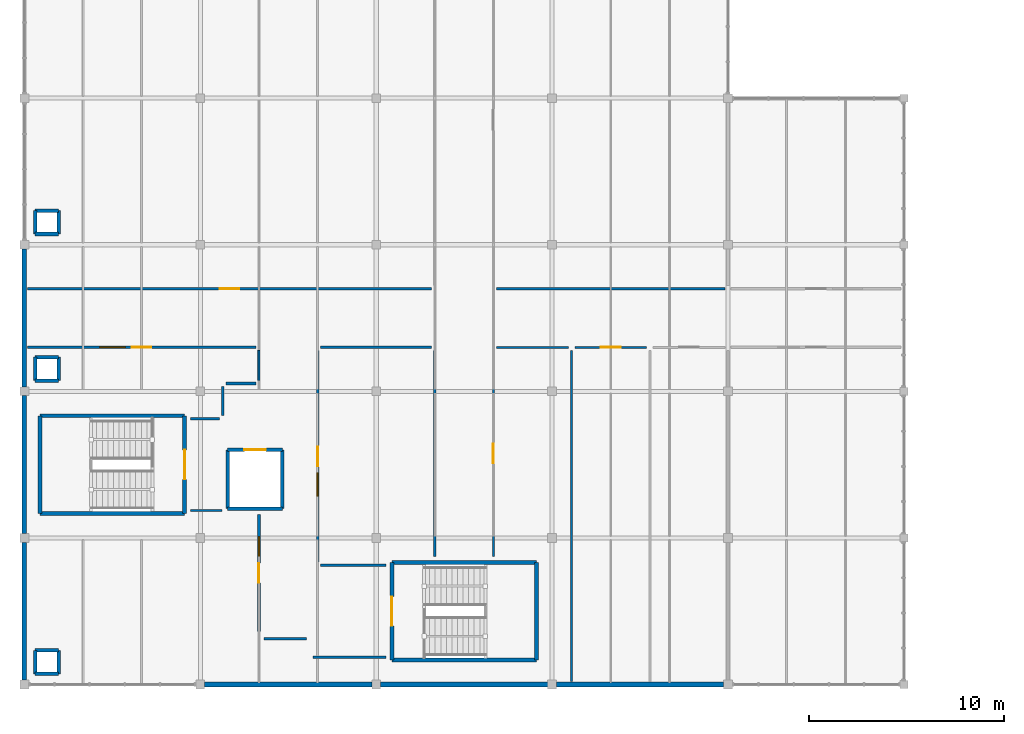
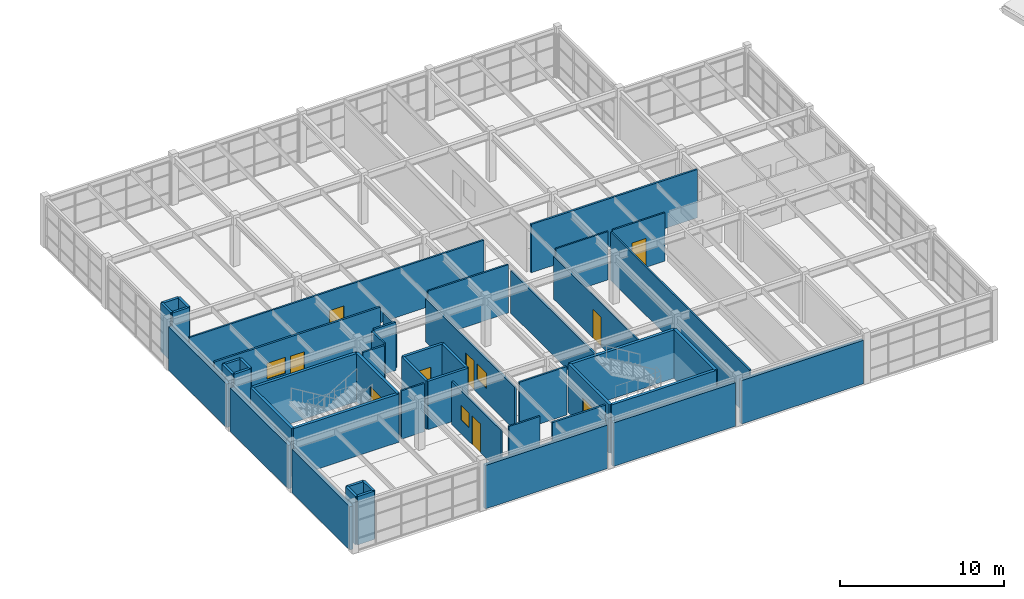
# One storey, part 71 of 81: 49 walls, 9 doors, 3 windows, 12 openings.
"""IFC4 building model written with IfcOpenShell, lengths in metres."""

from ifc_helpers import new_model, si_unit, direction, frame, frame_2d, origin, place, context, subcontext, project, spatial, rectangle, extrude, material, layer, layer_set, type_object, element, fill, save


model = new_model("IFC4")

# Units and contexts
model_context = context("Model", 3, precision=1e-05, world=origin(), true_north=direction((0.0, 1.0)))
body_context = subcontext(model_context, "Body", "Model", "MODEL_VIEW")
ifc_project = project(units=[si_unit("LENGTHUNIT", "METRE"), si_unit("AREAUNIT", "SQUARE_METRE"), si_unit("VOLUMEUNIT", "CUBIC_METRE"), si_unit("PLANEANGLEUNIT", "RADIAN"), si_unit("MASSUNIT", "GRAM", prefix="KILO")], contexts=[model_context])

# Site, building, storey
site_placement = place(None, origin())
site = spatial("IfcSite", under=ifc_project, at=site_placement, CompositionType="ELEMENT")
building_placement = place(site_placement, origin())
building = spatial("IfcBuilding", under=site, at=building_placement, Name="Marnridge Secondary College", CompositionType="ELEMENT")
storey_placement = place(building_placement, frame((0.0, 0.0, 8.5)))
storey = spatial("IfcBuildingStorey", under=building, at=storey_placement, Name="L02", CompositionType="ELEMENT", Elevation=8.5)

# Wall
ifc_material_1 = material(Name="Concrete C40/50 (AS 3600 N40, 40 MPa)", Category="concrete")
ifc_layer_1 = layer(ifc_material_1, 0.199951171875)
ifc_layer_set_1 = layer_set([ifc_layer_1], Name="WT-CORE-RC200")
wall_type_1 = type_object("IfcWallType", Name="WT-CORE-RC200", PredefinedType="SHEAR", material=ifc_layer_set_1)
wall_1_placement = place(storey_placement, frame((0.800048828125, 8.75, 0.0), z_axis=(0.0, 0.0, 1.0), x_axis=(1.0, 0.0, 0.0)))
element("IfcWall", 1, at=wall_1_placement, inside=storey, type_object=wall_type_1, Name="Stair core shear wall WC-L02-0305", PredefinedType="SHEAR", context=body_context, shape_type="SweptSolid", body=[
    extrude(rectangle(XDim=7.39990234375, YDim=0.199951171875, at=frame_2d((3.699951171875, 0.0))), origin(), (0.0, 0.0, 1.0), 3.590087890625),
])

# Wall, opening, door
wall_2_placement = place(storey_placement, frame((8.199951171875, 8.75, 0.0), z_axis=(0.0, 0.0, 1.0), x_axis=(0.0, 1.0, 0.0)))
wall_2 = element("IfcWall", 2, at=wall_2_placement, inside=storey, type_object=wall_type_1, Name="Stair core shear wall WC-L02-0306", PredefinedType="SHEAR", context=body_context, shape_type="SweptSolid", body=[
    extrude(rectangle(XDim=5.0, YDim=0.199951171875, at=frame_2d((2.5, 0.0))), origin(), (0.0, 0.0, 1.0), 3.590087890625),
])
opening_1_placement = place(wall_2_placement, frame((1.75, 0.0, 0.0)))
opening_1 = element("IfcOpeningElement", 3, at=opening_1_placement, cuts=wall_2, Name="Opening DC-L02-015", PredefinedType="OPENING", context=body_context, shape_type="SweptSolid", body=[
    extrude(rectangle(XDim=1.5, YDim=2.14990234375, at=frame_2d((0.75, 1.074951171875))), frame((0.0, 0.10986328125, 0.0), z_axis=(0.0, -1.0, 0.0), x_axis=(1.0, 0.0, 0.0)), (0.0, 0.0, 1.0), 0.219970703125),
])
ifc_material_2 = material(Name="Fire-rated solid-core timber doorset", Category="wood")
door_type_1 = type_object("IfcDoorType", Name="DT-CORE-FD150", OperationType="DOUBLE_DOOR_SINGLE_SWING", PredefinedType="DOOR", material=ifc_material_2)
door_1_placement = place(opening_1_placement, origin())
door_1 = element("IfcDoor", 4, at=door_1_placement, inside=storey, type_object=door_type_1, Name="Fire stair door DC-L02-015", OperationType="DOUBLE_DOOR_SINGLE_SWING", OverallHeight=2.14990234375, OverallWidth=1.5, PredefinedType="DOOR", context=body_context, shape_type="SweptSolid", body=[
    extrude(rectangle(XDim=1.5, YDim=2.14990234375, at=frame_2d((0.75, 1.074951171875))), frame((0.0, 0.02490234375, 0.0), z_axis=(0.0, -1.0, 0.0), x_axis=(1.0, 0.0, 0.0)), (0.0, 0.0, 1.0), 0.050048828125),
])
fill(opening_1, door_1)

# Walls
wall_3_placement = place(storey_placement, frame((8.199951171875, 13.75, 0.0), z_axis=(0.0, 0.0, 1.0), x_axis=(-1.0, 0.0, 0.0)))
element("IfcWall", 5, at=wall_3_placement, inside=storey, type_object=wall_type_1, Name="Stair core shear wall WC-L02-0307", PredefinedType="SHEAR", context=body_context, shape_type="SweptSolid", body=[
    extrude(rectangle(XDim=7.39990234375, YDim=0.199951171875, at=frame_2d((3.699951171875, 0.0))), origin(), (0.0, 0.0, 1.0), 3.590087890625),
])
wall_4_placement = place(storey_placement, frame((0.800048828125, 13.75, 0.0), z_axis=(0.0, 0.0, 1.0), x_axis=(0.0, -1.0, 0.0)))
element("IfcWall", 6, at=wall_4_placement, inside=storey, type_object=wall_type_1, Name="Stair core shear wall WC-L02-0308", PredefinedType="SHEAR", context=body_context, shape_type="SweptSolid", body=[
    extrude(rectangle(XDim=5.0, YDim=0.199951171875, at=frame_2d((2.5, 0.0))), origin(), (0.0, 0.0, 1.0), 3.590087890625),
])
wall_5_placement = place(storey_placement, frame((18.800048828125, 1.25, 0.0), z_axis=(0.0, 0.0, 1.0), x_axis=(1.0, 0.0, 0.0)))
element("IfcWall", 7, at=wall_5_placement, inside=storey, type_object=wall_type_1, Name="Stair core shear wall WC-L02-0325", PredefinedType="SHEAR", context=body_context, shape_type="SweptSolid", body=[
    extrude(rectangle(XDim=7.39990234375, YDim=0.199951171875, at=frame_2d((3.699951171875, 0.0))), origin(), (0.0, 0.0, 1.0), 3.590087890625),
])
wall_6_placement = place(storey_placement, frame((26.199951171875, 1.25, 0.0), z_axis=(0.0, 0.0, 1.0), x_axis=(0.0, 1.0, 0.0)))
element("IfcWall", 8, at=wall_6_placement, inside=storey, type_object=wall_type_1, Name="Stair core shear wall WC-L02-0326", PredefinedType="SHEAR", context=body_context, shape_type="SweptSolid", body=[
    extrude(rectangle(XDim=5.0, YDim=0.199951171875, at=frame_2d((2.5, 0.0))), origin(), (0.0, 0.0, 1.0), 3.590087890625),
])
wall_7_placement = place(storey_placement, frame((26.199951171875, 6.25, 0.0), z_axis=(0.0, 0.0, 1.0), x_axis=(-1.0, 0.0, 0.0)))
element("IfcWall", 9, at=wall_7_placement, inside=storey, type_object=wall_type_1, Name="Stair core shear wall WC-L02-0327", PredefinedType="SHEAR", context=body_context, shape_type="SweptSolid", body=[
    extrude(rectangle(XDim=7.39990234375, YDim=0.199951171875, at=frame_2d((3.699951171875, 0.0))), origin(), (0.0, 0.0, 1.0), 3.590087890625),
])

# Wall, opening, door
wall_8_placement = place(storey_placement, frame((18.800048828125, 6.25, 0.0), z_axis=(0.0, 0.0, 1.0), x_axis=(0.0, -1.0, 0.0)))
wall_8 = element("IfcWall", 10, at=wall_8_placement, inside=storey, type_object=wall_type_1, Name="Stair core shear wall WC-L02-0328", PredefinedType="SHEAR", context=body_context, shape_type="SweptSolid", body=[
    extrude(rectangle(XDim=5.0, YDim=0.199951171875, at=frame_2d((2.5, 0.0))), origin(), (0.0, 0.0, 1.0), 3.590087890625),
])
opening_2_placement = place(wall_8_placement, frame((1.75, 0.0, 0.0)))
opening_2 = element("IfcOpeningElement", 11, at=opening_2_placement, cuts=wall_8, Name="Opening DC-L02-020", PredefinedType="OPENING", context=body_context, shape_type="SweptSolid", body=[
    extrude(rectangle(XDim=1.5, YDim=2.14990234375, at=frame_2d((0.75, 1.074951171875))), frame((0.0, 0.10986328125, 0.0), z_axis=(0.0, -1.0, 0.0), x_axis=(1.0, 0.0, 0.0)), (0.0, 0.0, 1.0), 0.219970703125),
])
door_2_placement = place(opening_2_placement, origin())
door_2 = element("IfcDoor", 12, at=door_2_placement, inside=storey, type_object=door_type_1, Name="Fire stair door DC-L02-020", OperationType="DOUBLE_DOOR_SINGLE_SWING", OverallHeight=2.14990234375, OverallWidth=1.5, PredefinedType="DOOR", context=body_context, shape_type="SweptSolid", body=[
    extrude(rectangle(XDim=1.5, YDim=2.14990234375, at=frame_2d((0.75, 1.074951171875))), frame((0.0, 0.02490234375, 0.0), z_axis=(0.0, -1.0, 0.0), x_axis=(1.0, 0.0, 0.0)), (0.0, 0.0, 1.0), 0.050048828125),
])
fill(opening_2, door_2)

# Walls
ifc_material_3 = material(Name="Cross-laminated timber CL5", Category="wood")
ifc_layer_2 = layer(ifc_material_3, 0.239990234375)
ifc_layer_set_2 = layer_set([ifc_layer_2], Name="WT-EXT-CLT240")
wall_type_2 = type_object("IfcWallType", Name="WT-EXT-CLT240", PredefinedType="SOLIDWALL", material=ifc_layer_set_2)
for number, where, z_axis, x_axis, name in (
    (13, (35.779052734375, 0.0, 0.0), (0.0, 0.0, 1.0), (-1.0, 0.0, 0.0), "Exterior wall WE-L02-0158"),
    (14, (26.779052734375, 0.0, 0.0), (0.0, 0.0, 1.0), (-1.0, 0.0, 0.0), "Exterior wall WE-L02-0159"),
    (15, (17.779052734375, 0.0, 0.0), (0.0, 0.0, 1.0), (-1.0, 0.0, 0.0), "Exterior wall WE-L02-0160"),
):
    element("IfcWall", number, at=place(storey_placement, frame(where, z_axis=z_axis, x_axis=x_axis)), inside=storey, type_object=wall_type_2, Name=name, PredefinedType="SOLIDWALL", context=body_context, shape_type="SweptSolid", body=[
        extrude(rectangle(XDim=8.55810546875, YDim=0.239990234375, at=frame_2d((4.279052734375, 0.0))), origin(), (0.0, 0.0, 1.0), 3.22998046875),
    ])
for number, where, z_axis, x_axis, name in (
    (16, (0.0, 0.220947265625, 0.0), (0.0, 0.0, 1.0), (0.0, 1.0, 0.0), "Exterior wall WE-L02-0161"),
    (17, (0.0, 7.720947265625, 0.0), (0.0, 0.0, 1.0), (0.0, 1.0, 0.0), "Exterior wall WE-L02-0162"),
    (18, (0.0, 15.220947265625, 0.0), (0.0, 0.0, 1.0), (0.0, 1.0, 0.0), "Exterior wall WE-L02-0163"),
):
    element("IfcWall", number, at=place(storey_placement, frame(where, z_axis=z_axis, x_axis=x_axis)), inside=storey, type_object=wall_type_2, Name=name, PredefinedType="SOLIDWALL", context=body_context, shape_type="SweptSolid", body=[
        extrude(rectangle(XDim=7.05810546875, YDim=0.239990234375, at=frame_2d((3.529052734375, 0.0))), origin(), (0.0, 0.0, 1.0), 3.22998046875),
    ])
ifc_material_4 = material(Name="Acoustic plasterboard partition Rw45", Category="gypsum")
ifc_layer_3 = layer(ifc_material_4, 0.1201171875)
ifc_layer_set_3 = layer_set([ifc_layer_3], Name="WT-PART-AC120")
wall_type_3 = type_object("IfcWallType", Name="WT-PART-AC120", PredefinedType="PARTITIONING", material=ifc_layer_set_3)
wall_9_placement = place(storey_placement, frame((10.10009765625, 8.89990234375, 0.0), z_axis=(0.0, 0.0, 1.0), x_axis=(-1.0, 0.0, 0.0)))
element("IfcWall", 19, at=wall_9_placement, inside=storey, type_object=wall_type_3, Name="Interior partition WP-L02-0303", PredefinedType="PARTITIONING", context=body_context, shape_type="SweptSolid", body=[
    extrude(rectangle(XDim=1.60009765625, YDim=0.1201171875, at=frame_2d((0.800048828125, 0.0))), origin(), (0.0, 0.0, 1.0), 3.590087890625),
])
wall_10_placement = place(storey_placement, frame((14.43994140625, 2.35009765625, 0.0), z_axis=(0.0, 0.0, 1.0), x_axis=(-1.0, 0.0, 0.0)))
element("IfcWall", 20, at=wall_10_placement, inside=storey, type_object=wall_type_3, Name="Interior partition WP-L02-0305", PredefinedType="PARTITIONING", context=body_context, shape_type="SweptSolid", body=[
    extrude(rectangle(XDim=2.179931640625, YDim=0.1201171875, at=frame_2d((1.08984375, 0.0))), origin(), (0.0, 0.0, 1.0), 3.590087890625),
])
wall_11_placement = place(storey_placement, frame((20.840087890625, 17.25, 0.0), z_axis=(0.0, 0.0, 1.0), x_axis=(-1.0, 0.0, 0.0)))
element("IfcWall", 21, at=wall_11_placement, inside=storey, type_object=wall_type_3, Name="Interior partition WP-L02-0309", PredefinedType="PARTITIONING", context=body_context, shape_type="SweptSolid", body=[
    extrude(rectangle(XDim=5.68017578125, YDim=0.1201171875, at=frame_2d((2.840087890625, 0.0))), origin(), (0.0, 0.0, 1.0), 3.590087890625),
])
wall_12_placement = place(storey_placement, frame((15.159912109375, 6.10009765625, 0.0), z_axis=(0.0, 0.0, 1.0), x_axis=(1.0, 0.0, 0.0)))
element("IfcWall", 22, at=wall_12_placement, inside=storey, type_object=wall_type_3, Name="Interior partition WP-L02-0311", PredefinedType="PARTITIONING", context=body_context, shape_type="SweptSolid", body=[
    extrude(rectangle(XDim=3.340087890625, YDim=0.1201171875, at=frame_2d((1.669921875, 0.0))), origin(), (0.0, 0.0, 1.0), 3.590087890625),
])
wall_13_placement = place(storey_placement, frame((10.14990234375, 13.760009765625, 0.0), z_axis=(0.0, 0.0, 1.0), x_axis=(0.0, 1.0, 0.0)))
element("IfcWall", 23, at=wall_13_placement, inside=storey, type_object=wall_type_3, Name="Interior partition WP-L02-0313", PredefinedType="PARTITIONING", context=body_context, shape_type="SweptSolid", body=[
    extrude(rectangle(XDim=1.47998046875, YDim=0.1201171875, at=frame_2d((0.739990234375, 0.0))), origin(), (0.0, 0.0, 1.0), 3.590087890625),
])

# Wall, opening, door
wall_14_placement = place(storey_placement, frame((0.159912109375, 20.25, 0.0), z_axis=(0.0, 0.0, 1.0), x_axis=(1.0, 0.0, 0.0)))
wall_14 = element("IfcWall", 24, at=wall_14_placement, inside=storey, type_object=wall_type_3, Name="Interior partition WP-L02-0317", PredefinedType="PARTITIONING", context=body_context, shape_type="SweptSolid", body=[
    extrude(rectangle(XDim=20.68017578125, YDim=0.1201171875, at=frame_2d((10.340087890625, 0.0))), origin(), (0.0, 0.0, 1.0), 3.590087890625),
])
opening_3_placement = place(wall_14_placement, frame((9.840087890625, 0.0, 0.0)))
opening_3 = element("IfcOpeningElement", 25, at=opening_3_placement, cuts=wall_14, Name="Opening DI-L02-0113", PredefinedType="OPENING", context=body_context, shape_type="SweptSolid", body=[
    extrude(rectangle(XDim=1.0, YDim=2.14990234375, at=frame_2d((0.5, 1.074951171875))), frame((0.0, 0.070068359375, 0.0), z_axis=(0.0, -1.0, 0.0), x_axis=(1.0, 0.0, 0.0)), (0.0, 0.0, 1.0), 0.14013671875),
])
ifc_material_5 = material(Name="Solid-core acoustic hoop-pine classroom doorset", Category="wood")
door_type_2 = type_object("IfcDoorType", Name="DT-CLS-100", OperationType="NOTDEFINED", PredefinedType="DOOR", material=ifc_material_5)
door_3_placement = place(opening_3_placement, origin())
door_3 = element("IfcDoor", 26, at=door_3_placement, inside=storey, type_object=door_type_2, Name="Interior door DI-L02-0113", OperationType="SINGLE_SWING_LEFT", OverallHeight=2.14990234375, OverallWidth=1.0, PredefinedType="DOOR", context=body_context, shape_type="SweptSolid", body=[
    extrude(rectangle(XDim=1.0, YDim=2.14990234375, at=frame_2d((0.5, 1.074951171875))), frame((0.0, 0.02490234375, 0.0), z_axis=(0.0, -1.0, 0.0), x_axis=(1.0, 0.0, 0.0)), (0.0, 0.0, 1.0), 0.050048828125),
])
fill(opening_3, door_3)

# Wall
ifc_material_6 = material(Name="Acoustic plasterboard partition Rw48", Category="gypsum")
ifc_layer_4 = layer(ifc_material_6, 0.135009765625)
ifc_layer_set_4 = layer_set([ifc_layer_4], Name="WT-PART-AC135")
wall_type_4 = type_object("IfcWallType", Name="WT-PART-AC135", PredefinedType="PARTITIONING", material=ifc_layer_set_4)
wall_15_placement = place(storey_placement, frame((18.5, 1.39990234375, 0.0), z_axis=(0.0, 0.0, 1.0), x_axis=(-1.0, 0.0, 0.0)))
element("IfcWall", 27, at=wall_15_placement, inside=storey, type_object=wall_type_4, Name="Interior partition WP-L02-0304", PredefinedType="PARTITIONING", context=body_context, shape_type="SweptSolid", body=[
    extrude(rectangle(XDim=3.739990234375, YDim=0.135009765625, at=frame_2d((1.8701171875, 0.0))), origin(), (0.0, 0.0, 1.0), 3.590087890625),
])

# Wall, openings, door, window
wall_16_placement = place(storey_placement, frame((12.0, 2.7099609375, 0.0), z_axis=(0.0, 0.0, 1.0), x_axis=(0.0, 1.0, 0.0)))
wall_16 = element("IfcWall", 28, at=wall_16_placement, inside=storey, type_object=wall_type_4, Name="Interior partition WP-L02-0306", PredefinedType="PARTITIONING", context=body_context, shape_type="SweptSolid", body=[
    extrude(rectangle(XDim=5.989990234375, YDim=0.135009765625, at=frame_2d((2.9951171875, 0.0))), origin(), (0.0, 0.0, 1.0), 3.181884765625),
])
opening_4_placement = place(wall_16_placement, frame((2.4951171875, 0.0, 0.0)))
opening_4 = element("IfcOpeningElement", 29, at=opening_4_placement, cuts=wall_16, Name="Opening DI-L02-0109", PredefinedType="OPENING", context=body_context, shape_type="SweptSolid", body=[
    extrude(rectangle(XDim=1.0, YDim=2.14990234375, at=frame_2d((0.5, 1.074951171875))), frame((0.0, 0.077392578125, 0.0), z_axis=(0.0, -1.0, 0.0), x_axis=(1.0, 0.0, 0.0)), (0.0, 0.0, 1.0), 0.155029296875),
])
opening_5_placement = place(wall_16_placement, frame((3.844970703125, 0.0, 1.02001953125)))
opening_5 = element("IfcOpeningElement", 30, at=opening_5_placement, cuts=wall_16, Name="Opening WNI-L02-020", PredefinedType="OPENING", context=body_context, shape_type="SweptSolid", body=[
    extrude(rectangle(XDim=1.0, YDim=1.080078125, at=frame_2d((0.5, 0.5400390625))), frame((0.0, 0.077392578125, 0.0), z_axis=(0.0, -1.0, 0.0), x_axis=(1.0, 0.0, 0.0)), (0.0, 0.0, 1.0), 0.155029296875),
])
door_4_placement = place(opening_4_placement, origin())
door_4 = element("IfcDoor", 31, at=door_4_placement, inside=storey, type_object=door_type_2, Name="Interior door DI-L02-0109", OperationType="SINGLE_SWING_LEFT", OverallHeight=2.14990234375, OverallWidth=1.0, PredefinedType="DOOR", context=body_context, shape_type="SweptSolid", body=[
    extrude(rectangle(XDim=1.0, YDim=2.14990234375, at=frame_2d((0.5, 1.074951171875))), frame((0.0, 0.02490234375, 0.0), z_axis=(0.0, -1.0, 0.0), x_axis=(1.0, 0.0, 0.0)), (0.0, 0.0, 1.0), 0.050048828125),
])
fill(opening_4, door_4)
ifc_material_7 = material(Name="Acoustic laminated interior vision glazing", Category="glass")
window_type_1 = type_object("IfcWindowType", Name="WN-BL-VAR02", PartitioningType="DOUBLE_PANEL_VERTICAL", PredefinedType="WINDOW", material=ifc_material_7)
window_1_placement = place(opening_5_placement, origin())
window_1 = element("IfcWindow", 32, at=window_1_placement, inside=storey, type_object=window_type_1, Name="Interior vision window WNI-L02-020", OverallHeight=1.080078125, OverallWidth=1.0, PartitioningType="DOUBLE_PANEL_VERTICAL", PredefinedType="WINDOW", context=body_context, shape_type="SweptSolid", body=[
    extrude(rectangle(XDim=1.0, YDim=1.080078125, at=frame_2d((0.5, 0.5400390625))), frame((0.0, 0.030029296875, 0.0), z_axis=(0.0, -1.0, 0.0), x_axis=(1.0, 0.0, 0.0)), (0.0, 0.0, 1.0), 0.06005859375),
])
fill(opening_5, window_1)

# Wall
wall_17_placement = place(storey_placement, frame((21.0, 6.550048828125, 0.0), z_axis=(0.0, 0.0, 1.0), x_axis=(0.0, 1.0, 0.0)))
element("IfcWall", 33, at=wall_17_placement, inside=storey, type_object=wall_type_4, Name="Interior partition WP-L02-0308", PredefinedType="PARTITIONING", context=body_context, shape_type="SweptSolid", body=[
    extrude(rectangle(XDim=10.5400390625, YDim=0.135009765625, at=frame_2d((5.27001953125, 0.0))), origin(), (0.0, 0.0, 1.0), 3.181884765625),
])

# Wall, openings, door, window
wall_18_placement = place(storey_placement, frame((15.0, 17.090087890625, 0.0), z_axis=(0.0, 0.0, 1.0), x_axis=(0.0, -1.0, 0.0)))
wall_18 = element("IfcWall", 34, at=wall_18_placement, inside=storey, type_object=wall_type_4, Name="Interior partition WP-L02-0310", PredefinedType="PARTITIONING", context=body_context, shape_type="SweptSolid", body=[
    extrude(rectangle(XDim=10.830078125, YDim=0.135009765625, at=frame_2d((5.4150390625, 0.0))), origin(), (0.0, 0.0, 1.0), 3.181884765625),
])
opening_6_placement = place(wall_18_placement, frame((4.9150390625, 0.0, 0.0)))
opening_6 = element("IfcOpeningElement", 35, at=opening_6_placement, cuts=wall_18, Name="Opening DI-L02-0111", PredefinedType="OPENING", context=body_context, shape_type="SweptSolid", body=[
    extrude(rectangle(XDim=1.0, YDim=2.14990234375, at=frame_2d((0.5, 1.074951171875))), frame((0.0, 0.077392578125, 0.0), z_axis=(0.0, -1.0, 0.0), x_axis=(1.0, 0.0, 0.0)), (0.0, 0.0, 1.0), 0.155029296875),
])
opening_7_placement = place(wall_18_placement, frame((6.264892578125, 0.0, 1.02001953125)))
opening_7 = element("IfcOpeningElement", 36, at=opening_7_placement, cuts=wall_18, Name="Opening WNI-L02-022", PredefinedType="OPENING", context=body_context, shape_type="SweptSolid", body=[
    extrude(rectangle(XDim=1.199951171875, YDim=1.14990234375, at=frame_2d((0.60009765625, 0.574951171875))), frame((0.0, 0.077392578125, 0.0), z_axis=(0.0, -1.0, 0.0), x_axis=(1.0, 0.0, 0.0)), (0.0, 0.0, 1.0), 0.155029296875),
])
door_5_placement = place(opening_6_placement, origin())
door_5 = element("IfcDoor", 37, at=door_5_placement, inside=storey, type_object=door_type_2, Name="Interior door DI-L02-0111", OperationType="SINGLE_SWING_LEFT", OverallHeight=2.14990234375, OverallWidth=1.0, PredefinedType="DOOR", context=body_context, shape_type="SweptSolid", body=[
    extrude(rectangle(XDim=1.0, YDim=2.14990234375, at=frame_2d((0.5, 1.074951171875))), frame((0.0, 0.02490234375, 0.0), z_axis=(0.0, -1.0, 0.0), x_axis=(1.0, 0.0, 0.0)), (0.0, 0.0, 1.0), 0.050048828125),
])
fill(opening_6, door_5)
ifc_material_8 = material(Name="Acoustic laminated interior vision glazing", Category="glass")
window_type_2 = type_object("IfcWindowType", Name="WN-BL-VAR04", PartitioningType="DOUBLE_PANEL_VERTICAL", PredefinedType="WINDOW", material=ifc_material_8)
window_2_placement = place(opening_7_placement, origin())
window_2 = element("IfcWindow", 38, at=window_2_placement, inside=storey, type_object=window_type_2, Name="Interior vision window WNI-L02-022", OverallHeight=1.14990234375, OverallWidth=1.199951171875, PartitioningType="DOUBLE_PANEL_VERTICAL", PredefinedType="WINDOW", context=body_context, shape_type="SweptSolid", body=[
    extrude(rectangle(XDim=1.199951171875, YDim=1.14990234375, at=frame_2d((0.60009765625, 0.574951171875))), frame((0.0, 0.030029296875, 0.0), z_axis=(0.0, -1.0, 0.0), x_axis=(1.0, 0.0, 0.0)), (0.0, 0.0, 1.0), 0.06005859375),
])
fill(opening_7, window_2)

# Walls
wall_19_placement = place(storey_placement, frame((8.5, 13.60009765625, 0.0), z_axis=(0.0, 0.0, 1.0), x_axis=(1.0, 0.0, 0.0)))
element("IfcWall", 39, at=wall_19_placement, inside=storey, type_object=wall_type_4, Name="Interior partition WP-L02-0312", PredefinedType="PARTITIONING", context=body_context, shape_type="SweptSolid", body=[
    extrude(rectangle(XDim=1.489990234375, YDim=0.135009765625, at=frame_2d((0.7451171875, 0.0))), origin(), (0.0, 0.0, 1.0), 3.590087890625),
])
wall_20_placement = place(storey_placement, frame((10.31005859375, 15.39990234375, 0.0), z_axis=(0.0, 0.0, 1.0), x_axis=(1.0, 0.0, 0.0)))
element("IfcWall", 40, at=wall_20_placement, inside=storey, type_object=wall_type_4, Name="Interior partition WP-L02-0314", PredefinedType="PARTITIONING", context=body_context, shape_type="SweptSolid", body=[
    extrude(rectangle(XDim=1.530029296875, YDim=0.135009765625, at=frame_2d((0.76513671875, 0.0))), origin(), (0.0, 0.0, 1.0), 3.590087890625),
])

# Wall, openings, door, window
wall_21_placement = place(storey_placement, frame((11.840087890625, 17.25, 0.0), z_axis=(0.0, 0.0, 1.0), x_axis=(-1.0, 0.0, 0.0)))
wall_21 = element("IfcWall", 41, at=wall_21_placement, inside=storey, type_object=wall_type_4, Name="Interior partition WP-L02-0316", PredefinedType="PARTITIONING", context=body_context, shape_type="SweptSolid", body=[
    extrude(rectangle(XDim=11.68017578125, YDim=0.135009765625, at=frame_2d((5.840087890625, 0.0))), origin(), (0.0, 0.0, 1.0), 3.590087890625),
])
opening_8_placement = place(wall_21_placement, frame((5.340087890625, 0.0, 0.0)))
opening_8 = element("IfcOpeningElement", 42, at=opening_8_placement, cuts=wall_21, Name="Opening DI-L02-0112", PredefinedType="OPENING", context=body_context, shape_type="SweptSolid", body=[
    extrude(rectangle(XDim=1.0, YDim=2.14990234375, at=frame_2d((0.5, 1.074951171875))), frame((0.0, 0.077392578125, 0.0), z_axis=(0.0, -1.0, 0.0), x_axis=(1.0, 0.0, 0.0)), (0.0, 0.0, 1.0), 0.155029296875),
])
opening_9_placement = place(wall_21_placement, frame((6.68994140625, 0.0, 1.02001953125)))
opening_9 = element("IfcOpeningElement", 43, at=opening_9_placement, cuts=wall_21, Name="Opening WNI-L02-023", PredefinedType="OPENING", context=body_context, shape_type="SweptSolid", body=[
    extrude(rectangle(XDim=1.300048828125, YDim=1.179931640625, at=frame_2d((0.64990234375, 0.58984375))), frame((0.0, 0.077392578125, 0.0), z_axis=(0.0, -1.0, 0.0), x_axis=(1.0, 0.0, 0.0)), (0.0, 0.0, 1.0), 0.155029296875),
])
door_6_placement = place(opening_8_placement, origin())
door_6 = element("IfcDoor", 44, at=door_6_placement, inside=storey, type_object=door_type_2, Name="Interior door DI-L02-0112", OperationType="SINGLE_SWING_RIGHT", OverallHeight=2.14990234375, OverallWidth=1.0, PredefinedType="DOOR", context=body_context, shape_type="SweptSolid", body=[
    extrude(rectangle(XDim=1.0, YDim=2.14990234375, at=frame_2d((0.5, 1.074951171875))), frame((0.0, 0.02490234375, 0.0), z_axis=(0.0, -1.0, 0.0), x_axis=(1.0, 0.0, 0.0)), (0.0, 0.0, 1.0), 0.050048828125),
])
fill(opening_8, door_6)
ifc_material_9 = material(Name="Acoustic laminated interior vision glazing", Category="glass")
window_type_3 = type_object("IfcWindowType", Name="WN-BL-VAR05", PartitioningType="DOUBLE_PANEL_VERTICAL", PredefinedType="WINDOW", material=ifc_material_9)
window_3_placement = place(opening_9_placement, origin())
window_3 = element("IfcWindow", 45, at=window_3_placement, inside=storey, type_object=window_type_3, Name="Interior vision window WNI-L02-023", OverallHeight=1.179931640625, OverallWidth=1.300048828125, PartitioningType="DOUBLE_PANEL_VERTICAL", PredefinedType="WINDOW", context=body_context, shape_type="SweptSolid", body=[
    extrude(rectangle(XDim=1.300048828125, YDim=1.179931640625, at=frame_2d((0.64990234375, 0.58984375))), frame((0.0, 0.030029296875, 0.0), z_axis=(0.0, -1.0, 0.0), x_axis=(1.0, 0.0, 0.0)), (0.0, 0.0, 1.0), 0.06005859375),
])
fill(opening_9, window_3)

# Walls
wall_22_placement = place(storey_placement, frame((24.159912109375, 20.25, 0.0), z_axis=(0.0, 0.0, 1.0), x_axis=(1.0, 0.0, 0.0)))
element("IfcWall", 46, at=wall_22_placement, inside=storey, type_object=wall_type_4, Name="Interior partition WP-L02-0320", PredefinedType="PARTITIONING", context=body_context, shape_type="SweptSolid", body=[
    extrude(rectangle(XDim=11.68017578125, YDim=0.135009765625, at=frame_2d((5.840087890625, 0.0))), origin(), (0.0, 0.0, 1.0), 3.590087890625),
])
ifc_material_10 = material(Name="Acoustic glazed studio partition system", Category="gypsum")
ifc_layer_5 = layer(ifc_material_10, 0.10009765625)
ifc_layer_set_5 = layer_set([ifc_layer_5], Name="WT-PART-GL100")
wall_type_5 = type_object("IfcWallType", Name="WT-PART-GL100", PredefinedType="PARTITIONING", material=ifc_layer_set_5)
wall_23_placement = place(storey_placement, frame((12.0, 15.56005859375, 0.0), z_axis=(0.0, 0.0, 1.0), x_axis=(0.0, 1.0, 0.0)))
element("IfcWall", 47, at=wall_23_placement, inside=storey, type_object=wall_type_5, Name="Interior partition WP-L02-0315", PredefinedType="PARTITIONING", context=body_context, shape_type="SweptSolid", body=[
    extrude(rectangle(XDim=1.530029296875, YDim=0.10009765625, at=frame_2d((0.76513671875, 0.0))), origin(), (0.0, 0.0, 1.0), 3.181884765625),
])
ifc_material_11 = material(Name="Moisture-resistant plasterboard sanitary partition", Category="gypsum")
ifc_layer_6 = layer(ifc_material_11, 0.110107421875)
ifc_layer_set_6 = layer_set([ifc_layer_6], Name="WT-PART-WT110")
wall_type_6 = type_object("IfcWallType", Name="WT-PART-WT110", PredefinedType="PARTITIONING", material=ifc_layer_set_6)
wall_24_placement = place(storey_placement, frame((28.0, 0.159912109375, 0.0), z_axis=(0.0, 0.0, 1.0), x_axis=(0.0, 1.0, 0.0)))
element("IfcWall", 48, at=wall_24_placement, inside=storey, type_object=wall_type_6, Name="Interior partition WP-L02-0296", PredefinedType="PARTITIONING", context=body_context, shape_type="SweptSolid", body=[
    extrude(rectangle(XDim=16.93017578125, YDim=0.110107421875, at=frame_2d((8.465087890625, 0.0))), origin(), (0.0, 0.0, 1.0), 3.590087890625),
])

# Wall, opening, door
wall_25_placement = place(storey_placement, frame((24.0, 17.090087890625, 0.0), z_axis=(0.0, 0.0, 1.0), x_axis=(0.0, -1.0, 0.0)))
wall_25 = element("IfcWall", 49, at=wall_25_placement, inside=storey, type_object=wall_type_6, Name="Interior partition WP-L02-0297", PredefinedType="PARTITIONING", context=body_context, shape_type="SweptSolid", body=[
    extrude(rectangle(XDim=10.5400390625, YDim=0.110107421875, at=frame_2d((5.27001953125, 0.0))), origin(), (0.0, 0.0, 1.0), 3.181884765625),
])
opening_10_placement = place(wall_25_placement, frame((4.77001953125, 0.0, 0.0)))
opening_10 = element("IfcOpeningElement", 50, at=opening_10_placement, cuts=wall_25, Name="Opening DI-L02-0106", PredefinedType="OPENING", context=body_context, shape_type="SweptSolid", body=[
    extrude(rectangle(XDim=1.0, YDim=2.14990234375, at=frame_2d((0.5, 1.074951171875))), frame((0.0, 0.06494140625, 0.0), z_axis=(0.0, -1.0, 0.0), x_axis=(1.0, 0.0, 0.0)), (0.0, 0.0, 1.0), 0.130126953125),
])
door_7_placement = place(opening_10_placement, origin())
door_7 = element("IfcDoor", 51, at=door_7_placement, inside=storey, type_object=door_type_2, Name="Interior door DI-L02-0106", OperationType="SINGLE_SWING_RIGHT", OverallHeight=2.14990234375, OverallWidth=1.0, PredefinedType="DOOR", context=body_context, shape_type="SweptSolid", body=[
    extrude(rectangle(XDim=1.0, YDim=2.14990234375, at=frame_2d((0.5, 1.074951171875))), frame((0.0, 0.02490234375, 0.0), z_axis=(0.0, -1.0, 0.0), x_axis=(1.0, 0.0, 0.0)), (0.0, 0.0, 1.0), 0.050048828125),
])
fill(opening_10, door_7)

# Wall
wall_26_placement = place(storey_placement, frame((27.840087890625, 17.25, 0.0), z_axis=(0.0, 0.0, 1.0), x_axis=(-1.0, 0.0, 0.0)))
element("IfcWall", 52, at=wall_26_placement, inside=storey, type_object=wall_type_6, Name="Interior partition WP-L02-0298", PredefinedType="PARTITIONING", context=body_context, shape_type="SweptSolid", body=[
    extrude(rectangle(XDim=3.68017578125, YDim=0.110107421875, at=frame_2d((1.840087890625, 0.0))), origin(), (0.0, 0.0, 1.0), 3.590087890625),
])

# Wall, opening, door
wall_27_placement = place(storey_placement, frame((31.840087890625, 17.25, 0.0), z_axis=(0.0, 0.0, 1.0), x_axis=(-1.0, 0.0, 0.0)))
wall_27 = element("IfcWall", 53, at=wall_27_placement, inside=storey, type_object=wall_type_6, Name="Interior partition WP-L02-0300", PredefinedType="PARTITIONING", context=body_context, shape_type="SweptSolid", body=[
    extrude(rectangle(XDim=3.68017578125, YDim=0.110107421875, at=frame_2d((1.840087890625, 0.0))), origin(), (0.0, 0.0, 1.0), 3.590087890625),
])
opening_11_placement = place(wall_27_placement, frame((1.340087890625, 0.0, 0.0)))
opening_11 = element("IfcOpeningElement", 54, at=opening_11_placement, cuts=wall_27, Name="Opening DI-L02-0107", PredefinedType="OPENING", context=body_context, shape_type="SweptSolid", body=[
    extrude(rectangle(XDim=1.0, YDim=2.14990234375, at=frame_2d((0.5, 1.074951171875))), frame((0.0, 0.06494140625, 0.0), z_axis=(0.0, -1.0, 0.0), x_axis=(1.0, 0.0, 0.0)), (0.0, 0.0, 1.0), 0.130126953125),
])
door_8_placement = place(opening_11_placement, origin())
door_8 = element("IfcDoor", 55, at=door_8_placement, inside=storey, type_object=door_type_2, Name="Interior door DI-L02-0107", OperationType="SINGLE_SWING_LEFT", OverallHeight=2.14990234375, OverallWidth=1.0, PredefinedType="DOOR", context=body_context, shape_type="SweptSolid", body=[
    extrude(rectangle(XDim=1.0, YDim=2.14990234375, at=frame_2d((0.5, 1.074951171875))), frame((0.0, 0.02490234375, 0.0), z_axis=(0.0, -1.0, 0.0), x_axis=(1.0, 0.0, 0.0)), (0.0, 0.0, 1.0), 0.050048828125),
])
fill(opening_11, door_8)

# Walls
ifc_material_12 = material(Name="Concrete C40/50 (AS 3600 N40, 40 MPa)", Category="concrete")
ifc_layer_7 = layer(ifc_material_12, 0.179931640625)
ifc_layer_set_7 = layer_set([ifc_layer_7], Name="WT-SHAFT-RC180")
wall_type_7 = type_object("IfcWallType", Name="WT-SHAFT-RC180", PredefinedType="SHEAR", material=ifc_layer_set_7)
for number, where, z_axis, x_axis, name in (
    (56, (1.75, 0.550048828125, 0.0), (0.0, 0.0, 1.0), (-1.0, 0.0, 0.0), "Service riser shaft wall WR-L02-0161"),
    (57, (0.550048828125, 0.550048828125, 0.0), (0.0, 0.0, 1.0), (0.0, 1.0, 0.0), "Service riser shaft wall WR-L02-0162"),
    (58, (0.550048828125, 1.75, 0.0), (0.0, 0.0, 1.0), (1.0, 0.0, 0.0), "Service riser shaft wall WR-L02-0163"),
    (59, (1.75, 1.75, 0.0), (0.0, 0.0, 1.0), (0.0, -1.0, 0.0), "Service riser shaft wall WR-L02-0164"),
    (60, (1.75, 15.550048828125, 0.0), (0.0, 0.0, 1.0), (-1.0, 0.0, 0.0), "Service riser shaft wall WR-L02-0165"),
    (61, (0.550048828125, 15.550048828125, 0.0), (0.0, 0.0, 1.0), (0.0, 1.0, 0.0), "Service riser shaft wall WR-L02-0166"),
    (62, (0.550048828125, 16.75, 0.0), (0.0, 0.0, 1.0), (1.0, 0.0, 0.0), "Service riser shaft wall WR-L02-0167"),
    (63, (1.75, 16.75, 0.0), (0.0, 0.0, 1.0), (0.0, -1.0, 0.0), "Service riser shaft wall WR-L02-0168"),
    (64, (1.75, 23.050048828125, 0.0), (0.0, 0.0, 1.0), (-1.0, 0.0, 0.0), "Service riser shaft wall WR-L02-0169"),
    (65, (0.550048828125, 23.050048828125, 0.0), (0.0, 0.0, 1.0), (0.0, 1.0, 0.0), "Service riser shaft wall WR-L02-0170"),
    (66, (0.550048828125, 24.25, 0.0), (0.0, 0.0, 1.0), (1.0, 0.0, 0.0), "Service riser shaft wall WR-L02-0171"),
    (67, (1.75, 24.25, 0.0), (0.0, 0.0, 1.0), (0.0, -1.0, 0.0), "Service riser shaft wall WR-L02-0172"),
):
    element("IfcWall", number, at=place(storey_placement, frame(where, z_axis=z_axis, x_axis=x_axis)), inside=storey, type_object=wall_type_7, Name=name, PredefinedType="SHEAR", context=body_context, shape_type="SweptSolid", body=[
        extrude(rectangle(XDim=1.199951171875, YDim=0.179931640625, at=frame_2d((0.60009765625, 0.0))), origin(), (0.0, 0.0, 1.0), 3.590087890625),
    ])
wall_28_placement = place(storey_placement, frame((13.199951171875, 9.0, 0.0), z_axis=(0.0, 0.0, 1.0), x_axis=(-1.0, 0.0, 0.0)))
element("IfcWall", 68, at=wall_28_placement, inside=storey, type_object=wall_type_7, Name="Lift shaft wall WL-L02-0441", PredefinedType="SHEAR", context=body_context, shape_type="SweptSolid", body=[
    extrude(rectangle(XDim=2.800048828125, YDim=0.179931640625, at=frame_2d((1.39990234375, 0.0))), origin(), (0.0, 0.0, 1.0), 3.590087890625),
])
wall_29_placement = place(storey_placement, frame((10.39990234375, 9.0, 0.0), z_axis=(0.0, 0.0, 1.0), x_axis=(0.0, 1.0, 0.0)))
element("IfcWall", 69, at=wall_29_placement, inside=storey, type_object=wall_type_7, Name="Lift shaft wall WL-L02-0442", PredefinedType="SHEAR", context=body_context, shape_type="SweptSolid", body=[
    extrude(rectangle(XDim=3.0, YDim=0.179931640625, at=frame_2d((1.5, 0.0))), origin(), (0.0, 0.0, 1.0), 3.590087890625),
])

# Wall, opening, door
wall_30_placement = place(storey_placement, frame((10.39990234375, 12.0, 0.0), z_axis=(0.0, 0.0, 1.0), x_axis=(1.0, 0.0, 0.0)))
wall_30 = element("IfcWall", 70, at=wall_30_placement, inside=storey, type_object=wall_type_7, Name="Lift shaft wall WL-L02-0443", PredefinedType="SHEAR", context=body_context, shape_type="SweptSolid", body=[
    extrude(rectangle(XDim=2.800048828125, YDim=0.179931640625, at=frame_2d((1.39990234375, 0.0))), origin(), (0.0, 0.0, 1.0), 3.590087890625),
])
opening_12_placement = place(wall_30_placement, frame((0.85009765625, 0.0, 0.0)))
opening_12 = element("IfcOpeningElement", 71, at=opening_12_placement, cuts=wall_30, Name="Opening LD-LC-02-L02", PredefinedType="OPENING", context=body_context, shape_type="SweptSolid", body=[
    extrude(rectangle(XDim=1.10009765625, YDim=2.14990234375, at=frame_2d((0.550048828125, 1.074951171875))), frame((0.0, 0.099853515625, 0.0), z_axis=(0.0, -1.0, 0.0), x_axis=(1.0, 0.0, 0.0)), (0.0, 0.0, 1.0), 0.199951171875),
])
ifc_material_13 = material(Name="Stainless steel Grade 350 automatic sliding lift landing doorset", Category="steel")
door_type_3 = type_object("IfcDoorType", Name="DT-LIFT-LD110", OperationType="SLIDING_TO_LEFT", PredefinedType="DOOR", material=ifc_material_13)
door_9_placement = place(opening_12_placement, origin())
door_9 = element("IfcDoor", 72, at=door_9_placement, inside=storey, type_object=door_type_3, Name="Sliding lift landing door LD-LC-02-L02", OperationType="SLIDING_TO_LEFT", OverallHeight=2.14990234375, OverallWidth=1.10009765625, PredefinedType="DOOR", context=body_context, shape_type="SweptSolid", body=[
    extrude(rectangle(XDim=1.10009765625, YDim=2.14990234375, at=frame_2d((0.550048828125, 1.074951171875))), frame((0.0, 0.02490234375, 0.0), z_axis=(0.0, -1.0, 0.0), x_axis=(1.0, 0.0, 0.0)), (0.0, 0.0, 1.0), 0.050048828125),
])
fill(opening_12, door_9)

# Wall
wall_31_placement = place(storey_placement, frame((13.199951171875, 12.0, 0.0), z_axis=(0.0, 0.0, 1.0), x_axis=(0.0, -1.0, 0.0)))
element("IfcWall", 73, at=wall_31_placement, inside=storey, type_object=wall_type_7, Name="Lift shaft wall WL-L02-0444", PredefinedType="SHEAR", context=body_context, shape_type="SweptSolid", body=[
    extrude(rectangle(XDim=3.0, YDim=0.179931640625, at=frame_2d((1.5, 0.0))), origin(), (0.0, 0.0, 1.0), 3.590087890625),
])

save(model, "model.ifc")
